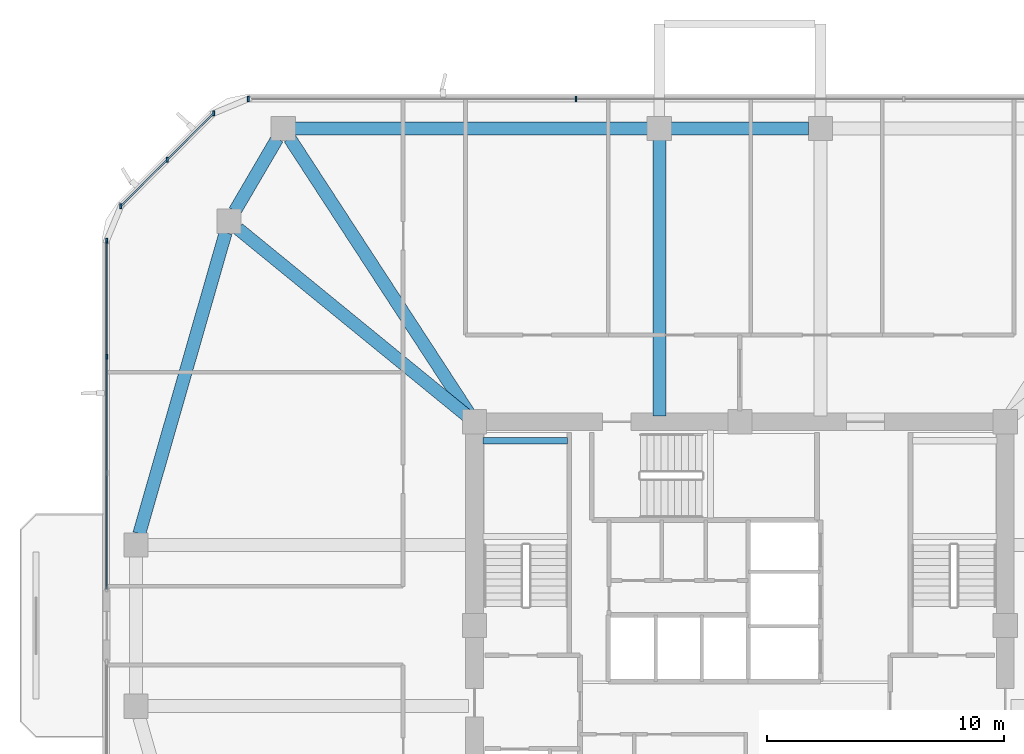
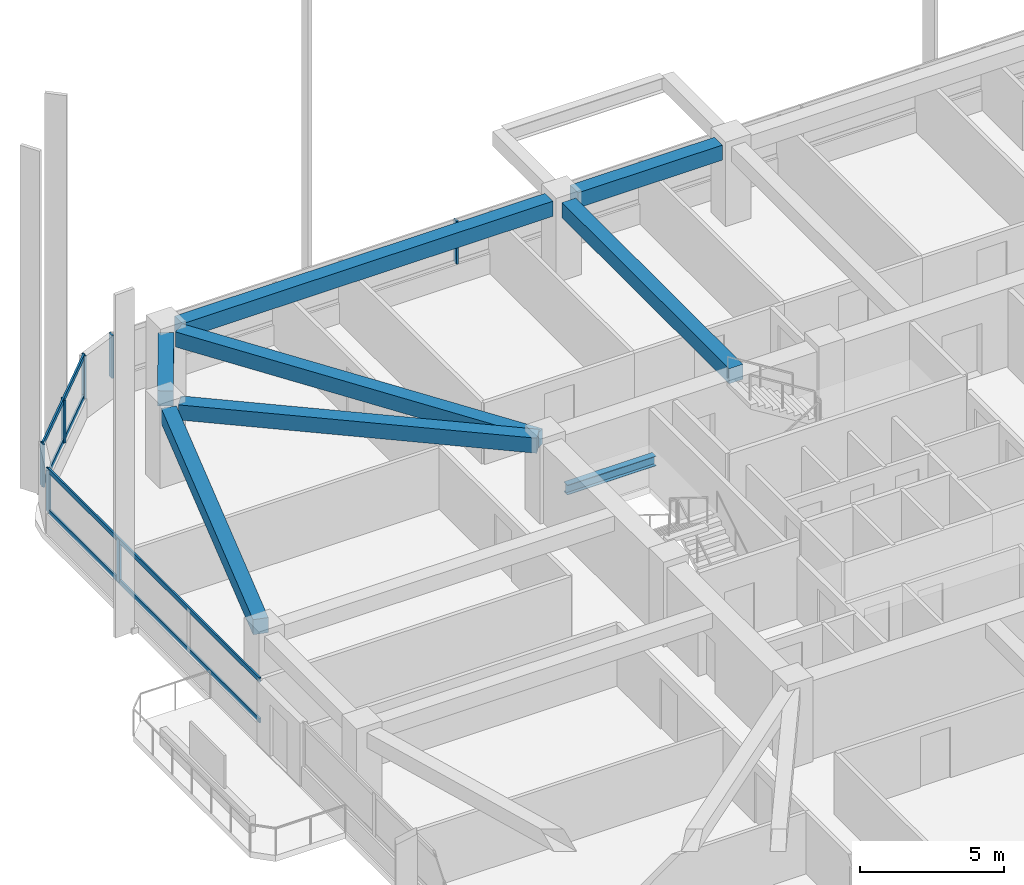
# One storey, part 4 of 15: 11 members, 8 beams, 3 elements without a shape of their own.
"""IFC4 building model written with IfcOpenShell, lengths in metres."""

import ifcopenshell
import ifcopenshell.guid

model = None  # the IFC model being written
_history = None  # IfcOwnerHistory: only IFC2X3 demands one
_inside = {}  # id of a spatial element -> (the spatial element, [elements in it])
_under = {}  # id of a project, library or spatial element -> (it, [spatial elements below it])
_declared = {}  # id of a project -> (the project, [libraries it declares])
_typed = {}  # id of a type object -> (the type object, [elements of that type])
_made_of = {}  # id of a material, layer set ... -> (it, [elements and type objects made of it])


def new_model(schema):
    """Start an empty IFC model of exactly this schema.

    Asked for "IFC4X3", IfcOpenShell would pick the latest addendum, in which some entities
    have other attributes; the version numbers below select the first issue.
    IFC2X3 requires an IfcOwnerHistory on every rooted entity: one is made here for all.
    """
    global model, _history
    if schema == "IFC4X3":
        model = ifcopenshell.file(schema_version=(4, 3, 0, 0))
    else:
        model = ifcopenshell.file(schema=schema)
    _inside.clear()
    _under.clear()
    _declared.clear()
    _typed.clear()
    _made_of.clear()
    _history = None
    if model.schema == "IFC2X3":
        org = make("IfcOrganization", Name="unknown")
        user = make(
            "IfcPersonAndOrganization",
            ThePerson=make("IfcPerson", FamilyName="unknown"),
            TheOrganization=org,
        )
        app = make(
            "IfcApplication",
            ApplicationDeveloper=org,
            Version="unknown",
            ApplicationFullName="unknown",
            ApplicationIdentifier="unknown",
        )
        _history = make(
            "IfcOwnerHistory",
            OwningUser=user,
            OwningApplication=app,
            ChangeAction="ADDED",
            CreationDate=0,
        )
    return model


def make(cls, **values):
    """One entity of the class cls with the attributes given. An attribute that is None is left unset."""
    return model.create_entity(
        cls, **{name: value for name, value in values.items() if value is not None}
    )


def rooted(cls, **values):
    """An entity with a GlobalId (a new one), such as an element, a storey or a relation."""
    return make(cls, GlobalId=ifcopenshell.guid.new(), OwnerHistory=_history, **values)


def si_unit(unit_type, name, prefix=None):
    """IfcSIUnit, for example si_unit("LENGTHUNIT", "METRE", prefix="MILLI")."""
    return make("IfcSIUnit", UnitType=unit_type, Prefix=prefix, Name=name)


def derived_unit(unit_type, elements):
    """IfcDerivedUnit: a product of units, each with its exponent."""
    return make(
        "IfcDerivedUnit",
        Elements=[
            make("IfcDerivedUnitElement", Unit=unit, Exponent=power)
            for unit, power in elements
        ],
        UnitType=unit_type,
    )


def assignment(units):
    """IfcUnitAssignment: the units of a project."""
    return None if units is None else make("IfcUnitAssignment", Units=units)


def point(xyz):
    """IfcCartesianPoint."""
    return None if xyz is None else make("IfcCartesianPoint", Coordinates=xyz)


def direction(xyz):
    """IfcDirection."""
    return None if xyz is None else make("IfcDirection", DirectionRatios=xyz)


def frame(location, z_axis=None, x_axis=None):
    """IfcAxis2Placement3D, a coordinate frame: its origin and axes. An axis left out is left unset."""
    return make(
        "IfcAxis2Placement3D",
        Location=point(location),
        Axis=direction(z_axis),
        RefDirection=direction(x_axis),
    )


def frame_2d(location, x_axis=None):
    """IfcAxis2Placement2D, a coordinate frame in the plane: its origin and x axis."""
    return make(
        "IfcAxis2Placement2D", Location=point(location), RefDirection=direction(x_axis)
    )


def origin():
    """The frame at (0, 0, 0) with its axes left unset."""
    return frame((0.0, 0.0, 0.0))


def origin_2d():
    """The frame at (0, 0) in the plane with its x axis left unset."""
    return frame_2d((0.0, 0.0))


def place(relative_to, where):
    """IfcLocalPlacement: puts the frame where relative to a parent placement (None: the world)."""
    return make(
        "IfcLocalPlacement", PlacementRelTo=relative_to, RelativePlacement=where
    )


def context(
    kind, dimensions, precision=None, world=None, true_north=None, identifier=None
):
    """IfcGeometricRepresentationContext, for example the 3D "Model" context."""
    return make(
        "IfcGeometricRepresentationContext",
        ContextIdentifier=identifier,
        ContextType=kind,
        CoordinateSpaceDimension=dimensions,
        Precision=precision,
        WorldCoordinateSystem=world,
        TrueNorth=true_north,
    )


def subcontext(parent, identifier, kind, view, scale=None):
    """IfcGeometricRepresentationSubContext, for example "Body" below "Model"."""
    return make(
        "IfcGeometricRepresentationSubContext",
        ContextIdentifier=identifier,
        ContextType=kind,
        ParentContext=parent,
        TargetScale=scale,
        TargetView=view,
    )


def project(units=None, contexts=None):
    """IfcProject with its units and contexts."""
    return rooted(
        "IfcProject",
        Name="project",
        RepresentationContexts=contexts,
        UnitsInContext=assignment(units),
    )


def spatial(cls, under=None, at=None, **own):
    """A site, building, storey or space (cls), placed at a placement, below another one or the project."""
    s = rooted(cls, ObjectPlacement=at, **own)
    if under is not None:
        _under.setdefault(under.id(), (under, []))[1].append(s)
    return s


def profile(cls, at=None, kind="AREA", **sizes):
    """A parametric profile (cls). Its sizes go by their IFC names, for example OverallWidth=200.0."""
    return make(cls, ProfileType=kind, Position=at, **sizes)


def rectangle(**sizes):
    """IfcRectangleProfileDef."""
    return profile("IfcRectangleProfileDef", **sizes)


def i_section(**sizes):
    """IfcIShapeProfileDef."""
    return profile("IfcIShapeProfileDef", **sizes)


def extrude(swept, where, along, depth):
    """IfcExtrudedAreaSolid: the profile swept, set in the frame where, extruded along a direction by depth."""
    return make(
        "IfcExtrudedAreaSolid",
        SweptArea=swept,
        Position=where,
        ExtrudedDirection=direction(along),
        Depth=depth,
    )


def shape(context_of_items, identifier, shape_type, items):
    """IfcShapeRepresentation: the items that make up one representation, for example the "Body"."""
    return make(
        "IfcShapeRepresentation",
        ContextOfItems=context_of_items,
        RepresentationIdentifier=identifier,
        RepresentationType=shape_type,
        Items=items,
    )


def material(Name=None, Category=None):
    """IfcMaterial."""
    return make("IfcMaterial", Name=Name, Category=Category)


def material_profile(
    of_material, cross_section, Name=None, Category=None, Priority=None
):
    """IfcMaterialProfile: a cross section and its material."""
    return make(
        "IfcMaterialProfile",
        Name=Name,
        Material=of_material,
        Profile=cross_section,
        Priority=Priority,
        Category=Category,
    )


def profile_set(profiles, Name=None, composite=None):
    """IfcMaterialProfileSet."""
    return make(
        "IfcMaterialProfileSet",
        Name=Name,
        MaterialProfiles=profiles,
        CompositeProfile=composite,
    )


def made_of(thing, what):
    """Note that an element or type object is made of a material, layer set ...; save() writes the relation."""
    if what is not None:
        _made_of.setdefault(what.id(), (what, []))[1].append(thing)
    return thing


def type_object(cls, material=None, **own):
    """A type object (cls), such as IfcWallType, which elements share."""
    return made_of(rooted(cls, **own), material)


def element(
    cls,
    number,
    at=None,
    inside=None,
    cuts=None,
    type_object=None,
    material=None,
    context=None,
    identifier="Body",
    shape_type=None,
    held_by="IfcProductDefinitionShape",
    body=None,
    shapes=None,
    **own,
):
    """One element of the class cls, such as IfcWall. Its Tag is "e" and its number.

    at: its placement. inside: the storey or other place that contains it. cuts: it is an
    opening in that element (IfcRelVoidsElement). A single representation is given by context,
    identifier, shape_type and body (its items); several are given by shapes. held_by: the class
    of the entity that holds the representations. save() writes the other relations.
    """
    e = rooted(cls, Tag="e%d" % number, ObjectPlacement=at, **own)
    if body is not None:
        shapes = [shape(context, identifier, shape_type, body)]
    if shapes is not None:
        e.Representation = make(held_by, Representations=shapes)
    if inside is not None:
        _inside.setdefault(inside.id(), (inside, []))[1].append(e)
    if cuts is not None:
        rooted(
            "IfcRelVoidsElement", RelatingBuildingElement=cuts, RelatedOpeningElement=e
        )
    if type_object is not None:
        _typed.setdefault(type_object.id(), (type_object, []))[1].append(e)
    return made_of(e, material)


def aggregate(whole, parts):
    """IfcRelAggregates: a whole, such as a stair, and the parts it consists of."""
    return rooted("IfcRelAggregates", RelatingObject=whole, RelatedObjects=parts)


def save(model, path):
    """Write the relations noted so far, then the file.

    IfcRelAggregates (storeys below a building ...), IfcRelContainedInSpatialStructure (elements
    in a storey), IfcRelDefinesByType, IfcRelAssociatesMaterial and IfcRelDeclares: one each for
    every whole, place, type object, material and project.
    """
    for whole, parts in _under.values():
        aggregate(whole, parts)
    for where, things in _inside.values():
        rooted(
            "IfcRelContainedInSpatialStructure",
            RelatedElements=things,
            RelatingStructure=where,
        )
    for kind, things in _typed.values():
        rooted("IfcRelDefinesByType", RelatedObjects=things, RelatingType=kind)
    for what, things in _made_of.values():
        rooted("IfcRelAssociatesMaterial", RelatedObjects=things, RelatingMaterial=what)
    for by, libraries in _declared.values():
        rooted("IfcRelDeclares", RelatingContext=by, RelatedDefinitions=libraries)
    model.write(path)


model = new_model("IFC4")

# Units and contexts
model_context = context("Model", 3, precision=1e-05, world=origin(), true_north=direction((0.0, 1.0)))
body_context = subcontext(model_context, "Body", "Model", "MODEL_VIEW")
ifc_project = project(units=[si_unit("LENGTHUNIT", "METRE"), si_unit("AREAUNIT", "SQUARE_METRE"), si_unit("VOLUMEUNIT", "CUBIC_METRE"), si_unit("PLANEANGLEUNIT", "RADIAN"), si_unit("MASSUNIT", "GRAM", prefix="KILO"), derived_unit("THERMALTRANSMITTANCEUNIT", [(si_unit("POWERUNIT", "WATT"), 1), (si_unit("LENGTHUNIT", "METRE"), -2), (si_unit("THERMODYNAMICTEMPERATUREUNIT", "KELVIN"), -1)])], contexts=[model_context])

# Site, building, storey
site_placement = place(None, origin())
site = spatial("IfcSite", under=ifc_project, at=site_placement, CompositionType="ELEMENT")
building_placement = place(site_placement, origin())
building = spatial("IfcBuilding", under=site, at=building_placement, Name="Koralith Skygarden Medical Center", CompositionType="ELEMENT")
storey_placement = place(building_placement, frame((0.0, 0.0, 84.780029296875)))
storey = spatial("IfcBuildingStorey", under=building, at=storey_placement, Name="L21", CompositionType="ELEMENT", Elevation=84.780029296875)

# Curtain wall, members
ifc_material_1 = material(Name="Clear Laminated Glass", Category="glass")
curtain_wall_type = type_object("IfcCurtainWallType", Name="CW-3 Zone 2 Faceted Solar Curtain Wall", PredefinedType="NOTDEFINED", material=ifc_material_1)
curtain_wall_1_placement = place(storey_placement, origin())
curtain_wall_1 = element("IfcCurtainWall", 1, at=curtain_wall_1_placement, inside=storey, type_object=curtain_wall_type, Name="Curtain Wall CW-L21-N", PredefinedType="NOTDEFINED")
ifc_material_2 = material(Name="Aluminium 6063-T6", Category="aluminium")
ifc_material_profile_1 = material_profile(ifc_material_2, rectangle(XDim=0.073974609375, YDim=0.219970703125, at=origin_2d()), Name="MUL74X220")
ifc_profile_set_1 = profile_set([ifc_material_profile_1], Name="Aluminium 6063-T6")
member_type_1 = type_object("IfcMemberType", Name="CW-3 Extruded Mullion 74x220", PredefinedType="MULLION", material=ifc_profile_set_1)
member_1_placement = place(storey_placement, frame((30.0849609375, 48.1201171875, 0.849853515625), z_axis=(0.0, 0.0, 1.0), x_axis=(1.0, 0.0, 0.0)))
member_1 = element("IfcMember", 2, at=member_1_placement, type_object=member_type_1, Name="CW-L21-N Mullion 3", PredefinedType="MULLION", context=body_context, shape_type="SweptSolid", body=[
    extrude(rectangle(XDim=0.073974609375, YDim=0.219970703125, at=origin_2d()), origin(), (0.0, 0.0, 1.0), 1.820068359375),
])
member_2_placement = place(storey_placement, frame((16.2548828125, 48.1201171875, 0.849853515625), z_axis=(0.0, 0.0, 1.0), x_axis=(1.0, 0.0, 0.0)))
member_2 = element("IfcMember", 3, at=member_2_placement, type_object=member_type_1, Name="CW-L21-N Mullion 4", PredefinedType="MULLION", context=body_context, shape_type="SweptSolid", body=[
    extrude(rectangle(XDim=0.073974609375, YDim=0.219970703125, at=origin_2d()), origin(), (0.0, 0.0, 1.0), 1.820068359375),
])
aggregate(curtain_wall_1, [member_1, member_2])

curtain_wall_2_placement = place(storey_placement, origin())
curtain_wall_2 = element("IfcCurtainWall", 4, at=curtain_wall_2_placement, inside=storey, type_object=curtain_wall_type, Name="Curtain Wall CW-L21-NW", PredefinedType="NOTDEFINED")
member_3_placement = place(storey_placement, frame((14.803955078125, 47.51904296875, 0.849853515625), z_axis=(0.0, 0.0, 1.0), x_axis=(1.0, 0.0, 0.0)))
member_3 = element("IfcMember", 5, at=member_3_placement, type_object=member_type_1, Name="CW-L21-NW Mullion 1", PredefinedType="MULLION", context=body_context, shape_type="SweptSolid", body=[
    extrude(rectangle(XDim=0.073974609375, YDim=0.219970703125, at=origin_2d()), origin(), (0.0, 0.0, 1.0), 1.820068359375),
])
member_4_placement = place(storey_placement, frame((12.843017578125, 45.556884765625, 0.849853515625), z_axis=(0.0, 0.0, 1.0), x_axis=(1.0, 0.0, 0.0)))
member_4 = element("IfcMember", 6, at=member_4_placement, type_object=member_type_1, Name="CW-L21-NW Mullion 2", PredefinedType="MULLION", context=body_context, shape_type="SweptSolid", body=[
    extrude(rectangle(XDim=0.073974609375, YDim=0.219970703125, at=origin_2d()), origin(), (0.0, 0.0, 1.0), 1.820068359375),
])
member_5_placement = place(storey_placement, frame((10.881103515625, 43.595947265625, 0.849853515625), z_axis=(0.0, 0.0, 1.0), x_axis=(1.0, 0.0, 0.0)))
member_5 = element("IfcMember", 7, at=member_5_placement, type_object=member_type_1, Name="CW-L21-NW Mullion 3", PredefinedType="MULLION", context=body_context, shape_type="SweptSolid", body=[
    extrude(rectangle(XDim=0.073974609375, YDim=0.219970703125, at=origin_2d()), origin(), (0.0, 0.0, 1.0), 1.820068359375),
])

curtain_wall_3_placement = place(storey_placement, origin())
curtain_wall_3 = element("IfcCurtainWall", 8, at=curtain_wall_3_placement, inside=storey, type_object=curtain_wall_type, Name="Curtain Wall CW-L21-W-L", PredefinedType="NOTDEFINED")
member_6_placement = place(storey_placement, frame((10.280029296875, 42.14501953125, 0.849853515625), z_axis=(0.0, 0.0, 1.0), x_axis=(1.0, 0.0, 0.0)))
member_6 = element("IfcMember", 9, at=member_6_placement, type_object=member_type_1, Name="CW-L21-W-L Mullion 1", PredefinedType="MULLION", context=body_context, shape_type="SweptSolid", body=[
    extrude(rectangle(XDim=0.073974609375, YDim=0.219970703125, at=origin_2d()), origin(), (0.0, 0.0, 1.0), 1.820068359375),
])
member_7_placement = place(storey_placement, frame((10.280029296875, 37.243896484375, 0.849853515625), z_axis=(0.0, 0.0, 1.0), x_axis=(1.0, 0.0, 0.0)))
member_7 = element("IfcMember", 10, at=member_7_placement, type_object=member_type_1, Name="CW-L21-W-L Mullion 2", PredefinedType="MULLION", context=body_context, shape_type="SweptSolid", body=[
    extrude(rectangle(XDim=0.073974609375, YDim=0.219970703125, at=origin_2d()), origin(), (0.0, 0.0, 1.0), 1.820068359375),
])

# Member
ifc_material_profile_2 = material_profile(ifc_material_2, rectangle(XDim=0.069091796875, YDim=0.197998046875, at=origin_2d()), Name="TRN69X198")
ifc_profile_set_2 = profile_set([ifc_material_profile_2], Name="Aluminium 6063-T6")
member_type_2 = type_object("IfcMemberType", Name="CW-3 Thermal Transom 69x198", PredefinedType="USERDEFINED", material=ifc_profile_set_2)
member_8_placement = place(storey_placement, frame((14.803955078125, 47.51904296875, 0.89990234375), z_axis=(-0.707084777957, -0.707128783731, 0.0), x_axis=(0.707128783731, -0.707084777957, 0.0)))
member_8 = element("IfcMember", 11, at=member_8_placement, type_object=member_type_2, Name="CW-L21-NW Transom 1", ObjectType="TRANSOM", PredefinedType="USERDEFINED", context=body_context, shape_type="SweptSolid", body=[
    extrude(rectangle(XDim=0.069091796875, YDim=0.197998046875, at=origin_2d()), origin(), (0.0, 0.0, 1.0), 5.5478515625),
])

member_9_placement = place(storey_placement, frame((14.803955078125, 47.51904296875, 2.619873046875), z_axis=(-0.707084777957, -0.707128783731, 0.0), x_axis=(0.707128783731, -0.707084777957, 0.0)))
member_9 = element("IfcMember", 12, at=member_9_placement, type_object=member_type_2, Name="CW-L21-NW Transom 2", ObjectType="TRANSOM", PredefinedType="USERDEFINED", context=body_context, shape_type="SweptSolid", body=[
    extrude(rectangle(XDim=0.069091796875, YDim=0.197998046875, at=origin_2d()), origin(), (0.0, 0.0, 1.0), 5.5478515625),
])

aggregate(curtain_wall_2, [member_3, member_4, member_5, member_8, member_9])

member_10_placement = place(storey_placement, frame((10.280029296875, 42.14501953125, 0.89990234375), z_axis=(0.0, -1.0, 0.0), x_axis=(1.0, 0.0, 0.0)))
member_10 = element("IfcMember", 13, at=member_10_placement, type_object=member_type_2, Name="CW-L21-W-L Transom 1", ObjectType="TRANSOM", PredefinedType="USERDEFINED", context=body_context, shape_type="SweptSolid", body=[
    extrude(rectangle(XDim=0.069091796875, YDim=0.197998046875, at=origin_2d()), origin(), (0.0, 0.0, 1.0), 14.7041015625),
])

member_11_placement = place(storey_placement, frame((10.280029296875, 42.14501953125, 2.619873046875), z_axis=(0.0, -1.0, 0.0), x_axis=(1.0, 0.0, 0.0)))
member_11 = element("IfcMember", 14, at=member_11_placement, type_object=member_type_2, Name="CW-L21-W-L Transom 2", ObjectType="TRANSOM", PredefinedType="USERDEFINED", context=body_context, shape_type="SweptSolid", body=[
    extrude(rectangle(XDim=0.069091796875, YDim=0.197998046875, at=origin_2d()), origin(), (0.0, 0.0, 1.0), 14.7041015625),
])

aggregate(curtain_wall_3, [member_6, member_7, member_10, member_11])

# Beams
ifc_material_3 = material(Name="Steel ASTM A992 Grade 50", Category="steel")
ifc_material_profile_3 = material_profile(ifc_material_3, i_section(OverallWidth=0.260009765625, OverallDepth=0.4150390625, WebThickness=0.010009765625, FlangeThickness=0.016845703125, at=origin_2d()), Name="W16X67")
ifc_profile_set_3 = profile_set([ifc_material_profile_3], Name="Steel ASTM A992 Grade 50")
beam_type_1 = type_object("IfcBeamType", Name="Clinical Floor Joist W16X67", PredefinedType="JOIST", material=ifc_profile_set_3)
beam_1_placement = place(storey_placement, frame((26.155029296875, 33.699951171875, 1.39208984375), z_axis=(1.0, 0.0, 0.0), x_axis=(0.0, 1.0, 0.0)))
element("IfcBeam", 15, at=beam_1_placement, inside=storey, type_object=beam_type_1, Name="L21 Stair ST1 Half-Landing Support Beam 1B", PredefinedType="JOIST", context=body_context, shape_type="SweptSolid", body=[
    extrude(i_section(OverallWidth=0.260009765625, OverallDepth=0.4150390625, WebThickness=0.010009765625, FlangeThickness=0.016845703125, at=origin_2d()), origin(), (0.0, 0.0, 1.0), 3.56494140625),
])
ifc_material_4 = material(Name="Concrete C45/55", Category="concrete")
ifc_material_profile_4 = material_profile(ifc_material_4, rectangle(XDim=0.550048828125, YDim=0.639892578125, at=origin_2d()), Name="RCB550X640")
ifc_profile_set_4 = profile_set([ifc_material_profile_4], Name="Concrete C45/55")
beam_type_2 = type_object("IfcBeamType", Name="Radial Collector Beam RCB550X640", PredefinedType="BEAM", material=ifc_profile_set_4)
beam_2_placement = place(storey_placement, frame((33.60009765625, 34.75, 3.0), z_axis=(0.0, 1.0, 0.0), x_axis=(-1.0, 0.0, 0.0)))
element("IfcBeam", 16, at=beam_2_placement, inside=storey, type_object=beam_type_2, Name="L21 Radial Collector Beam RB-13", PredefinedType="BEAM", context=body_context, shape_type="SweptSolid", body=[
    extrude(rectangle(XDim=0.550048828125, YDim=0.639892578125, at=origin_2d()), origin(), (0.0, 0.0, 1.0), 11.6298828125),
])
beam_3_placement = place(storey_placement, frame((25.6640625, 34.708984375, 3.0), z_axis=(-0.546010797592, 0.83777813824, 0.0), x_axis=(-0.83777813824, -0.546010797592, 0.0)))
element("IfcBeam", 17, at=beam_3_placement, inside=storey, type_object=beam_type_2, Name="L21 Radial Collector Beam RB-14", PredefinedType="BEAM", context=body_context, shape_type="SweptSolid", body=[
    extrude(rectangle(XDim=0.550048828125, YDim=0.639892578125, at=origin_2d()), origin(), (0.0, 0.0, 1.0), 14.027587890625),
])
beam_4_placement = place(storey_placement, frame((25.60595703125, 34.657958984375, 3.0), z_axis=(-0.774537653753, 0.632527804067, 0.0), x_axis=(-0.632527804067, -0.774537653753, 0.0)))
element("IfcBeam", 18, at=beam_4_placement, inside=storey, type_object=beam_type_2, Name="L21 Radial Collector Beam RB-15", PredefinedType="BEAM", context=body_context, shape_type="SweptSolid", body=[
    extrude(rectangle(XDim=0.550048828125, YDim=0.639892578125, at=origin_2d()), origin(), (0.0, 0.0, 1.0), 12.625732421875),
])
ifc_material_profile_5 = material_profile(ifc_material_4, rectangle(XDim=0.550048828125, YDim=0.639892578125, at=origin_2d()), Name="RCB550X640")
ifc_profile_set_5 = profile_set([ifc_material_profile_5], Name="Concrete C45/55")
beam_type_3 = type_object("IfcBeamType", Name="Zone 2-3 Spandrel Beam RCB550X640", PredefinedType="SPANDREL", material=ifc_profile_set_5)
beam_5_placement = place(storey_placement, frame((39.89990234375, 46.8798828125, 3.0), z_axis=(-1.0, 0.0, 0.0), x_axis=(0.0, -1.0, 0.0)))
element("IfcBeam", 19, at=beam_5_placement, inside=storey, type_object=beam_type_3, Name="L21 Perimeter Spandrel Beam SP-12", PredefinedType="SPANDREL", context=body_context, shape_type="SweptSolid", body=[
    extrude(rectangle(XDim=0.550048828125, YDim=0.639892578125, at=origin_2d()), origin(), (0.0, 0.0, 1.0), 5.7998046875),
])
beam_6_placement = place(storey_placement, frame((33.10009765625, 46.8798828125, 3.0), z_axis=(-1.0, 0.0, 0.0), x_axis=(0.0, -1.0, 0.0)))
element("IfcBeam", 20, at=beam_6_placement, inside=storey, type_object=beam_type_3, Name="L21 Perimeter Spandrel Beam SP-13", PredefinedType="SPANDREL", context=body_context, shape_type="SweptSolid", body=[
    extrude(rectangle(XDim=0.550048828125, YDim=0.639892578125, at=origin_2d()), origin(), (0.0, 0.0, 1.0), 14.8681640625),
])
beam_7_placement = place(storey_placement, frame((17.47998046875, 46.447998046875, 3.0), z_axis=(-0.50502386975, -0.863105376523, 0.0), x_axis=(0.863105376523, -0.50502386975, 0.0)))
element("IfcBeam", 21, at=beam_7_placement, inside=storey, type_object=beam_type_3, Name="L21 Perimeter Spandrel Beam SP-14", PredefinedType="SPANDREL", context=body_context, shape_type="SweptSolid", body=[
    extrude(rectangle(XDim=0.550048828125, YDim=0.639892578125, at=origin_2d()), origin(), (0.0, 0.0, 1.0), 3.54052734375),
])
beam_8_placement = place(storey_placement, frame((15.302001953125, 42.47900390625, 3.0), z_axis=(-0.275843733572, -0.961202494092, 0.0), x_axis=(0.961202494092, -0.275843733572, 0.0)))
element("IfcBeam", 22, at=beam_8_placement, inside=storey, type_object=beam_type_3, Name="L21 Perimeter Spandrel Beam SP-15", PredefinedType="SPANDREL", context=body_context, shape_type="SweptSolid", body=[
    extrude(rectangle(XDim=0.550048828125, YDim=0.639892578125, at=origin_2d()), origin(), (0.0, 0.0, 1.0), 13.21044921875),
])

save(model, "model.ifc")
